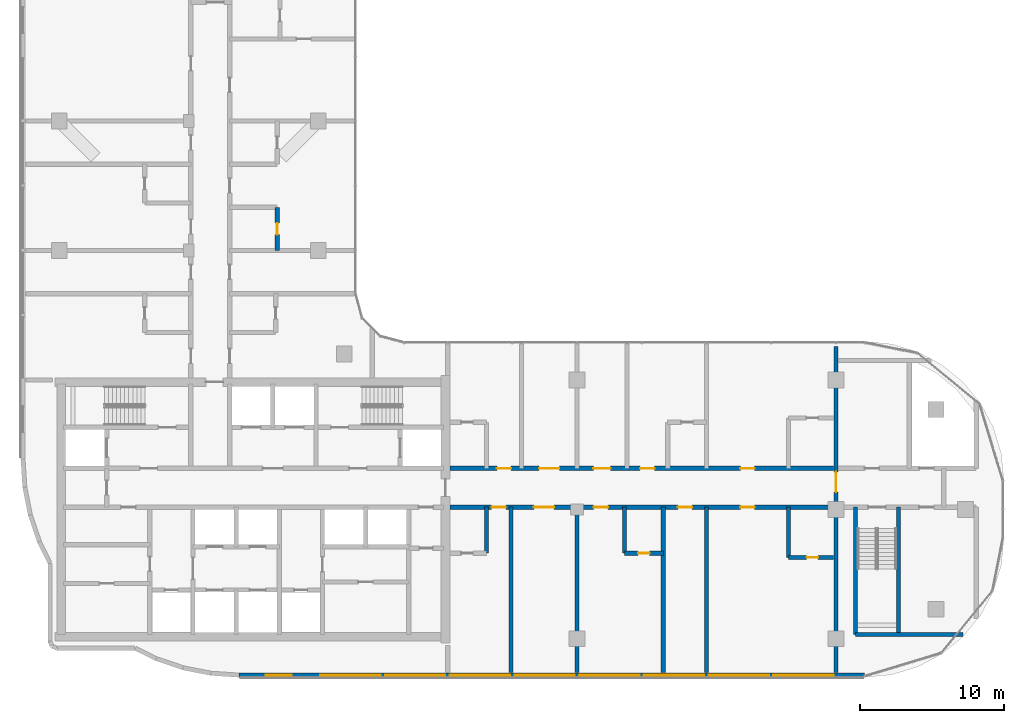
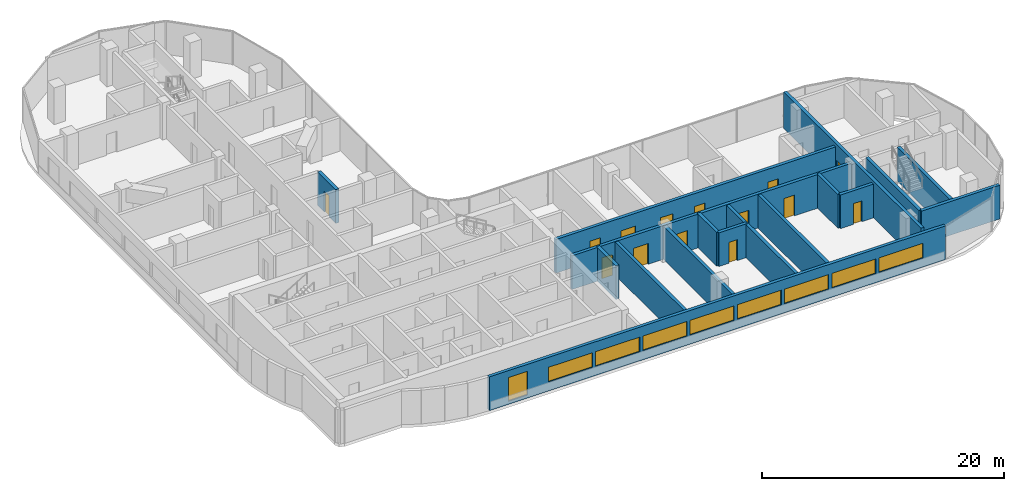
# One storey, part 12 of 23: 17 walls, 14 doors, 9 windows, 23 openings.
"""IFC4 building model written with IfcOpenShell, lengths in metres."""

from ifc_helpers import new_model, si_unit, direction, frame, frame_2d, origin, place, context, subcontext, project, spatial, rectangle, extrude, material, layer, layer_set, type_object, element, fill, save


model = new_model("IFC4")

# Units and contexts
model_context = context("Model", 3, precision=1e-05, world=origin(), true_north=direction((0.0, 1.0)))
body_context = subcontext(model_context, "Body", "Model", "MODEL_VIEW")
ifc_project = project(units=[si_unit("LENGTHUNIT", "METRE"), si_unit("AREAUNIT", "SQUARE_METRE"), si_unit("VOLUMEUNIT", "CUBIC_METRE"), si_unit("PLANEANGLEUNIT", "RADIAN"), si_unit("MASSUNIT", "GRAM", prefix="KILO")], contexts=[model_context])

# Site, building, storey
site_placement = place(None, origin())
site = spatial("IfcSite", under=ifc_project, at=site_placement, CompositionType="ELEMENT")
building_placement = place(site_placement, origin())
building = spatial("IfcBuilding", under=site, at=building_placement, Name="Ogive Portal Towers", CompositionType="ELEMENT")
storey_placement = place(building_placement, frame((0.0, 0.0, 186.60009765625)))
storey = spatial("IfcBuildingStorey", under=building, at=storey_placement, Name="L46", CompositionType="ELEMENT", Elevation=186.60009765625)

# Wall, openings, windows
ifc_material_1 = material(Name="Limestone cladding on lightweight block wall", Category="masonry")
ifc_layer_1 = layer(ifc_material_1, 0.300048828125)
ifc_layer_set_1 = layer_set([ifc_layer_1], Name="EXTERNAL WALL 300 STONE")
wall_type_1 = type_object("IfcWallType", Name="EXTERNAL WALL 300 STONE", PredefinedType="SOLIDWALL", material=ifc_layer_set_1)
wall_1_placement = place(storey_placement, frame((44.009765625, 18.969970703125, 0.0), z_axis=(0.0, 0.0, 1.0), x_axis=(1.0, 0.0, 0.0)))
wall_1 = element("IfcWall", 1, at=wall_1_placement, inside=storey, type_object=wall_type_1, Name="A:L46:f08:r0:wall", PredefinedType="SOLIDWALL", context=body_context, shape_type="SweptSolid", body=[
    extrude(rectangle(XDim=43.478271484375, YDim=0.300048828125, at=frame_2d((21.7392578125, 0.0))), origin(), (0.0, 0.0, 1.0), 3.39990234375),
])
opening_1_placement = place(wall_1_placement, frame((1.844970703125, 0.0, 0.300048828125)))
opening_1 = element("IfcOpeningElement", 2, at=opening_1_placement, cuts=wall_1, Name="Opening WN10", PredefinedType="OPENING", context=body_context, shape_type="SweptSolid", body=[
    extrude(rectangle(XDim=1.800048828125, YDim=2.39990234375, at=frame_2d((0.89990234375, 1.199951171875))), frame((0.0, 0.16015625, 0.0), z_axis=(0.0, -1.0, 0.0), x_axis=(1.0, 0.0, 0.0)), (0.0, 0.0, 1.0), 0.320068359375),
])
opening_2_placement = place(wall_1_placement, frame((5.64013671875, 0.0, 0.89990234375)))
opening_2 = element("IfcOpeningElement", 3, at=opening_2_placement, cuts=wall_1, Name="Opening WN11", PredefinedType="OPENING", context=body_context, shape_type="SweptSolid", body=[
    extrude(rectangle(XDim=4.199951171875, YDim=1.5, at=frame_2d((2.10009765625, 0.75))), frame((0.0, 0.16015625, 0.0), z_axis=(0.0, -1.0, 0.0), x_axis=(1.0, 0.0, 0.0)), (0.0, 0.0, 1.0), 0.320068359375),
])
opening_3_placement = place(wall_1_placement, frame((10.14013671875, 0.0, 0.89990234375)))
opening_3 = element("IfcOpeningElement", 4, at=opening_3_placement, cuts=wall_1, Name="Opening WN11", PredefinedType="OPENING", context=body_context, shape_type="SweptSolid", body=[
    extrude(rectangle(XDim=4.199951171875, YDim=1.5, at=frame_2d((2.10009765625, 0.75))), frame((0.0, 0.16015625, 0.0), z_axis=(0.0, -1.0, 0.0), x_axis=(1.0, 0.0, 0.0)), (0.0, 0.0, 1.0), 0.320068359375),
])
opening_4_placement = place(wall_1_placement, frame((14.64013671875, 0.0, 0.89990234375)))
opening_4 = element("IfcOpeningElement", 5, at=opening_4_placement, cuts=wall_1, Name="Opening WN11", PredefinedType="OPENING", context=body_context, shape_type="SweptSolid", body=[
    extrude(rectangle(XDim=4.199951171875, YDim=1.5, at=frame_2d((2.10009765625, 0.75))), frame((0.0, 0.16015625, 0.0), z_axis=(0.0, -1.0, 0.0), x_axis=(1.0, 0.0, 0.0)), (0.0, 0.0, 1.0), 0.320068359375),
])
opening_5_placement = place(wall_1_placement, frame((19.14013671875, 0.0, 0.89990234375)))
opening_5 = element("IfcOpeningElement", 6, at=opening_5_placement, cuts=wall_1, Name="Opening WN11", PredefinedType="OPENING", context=body_context, shape_type="SweptSolid", body=[
    extrude(rectangle(XDim=4.199951171875, YDim=1.5, at=frame_2d((2.10009765625, 0.75))), frame((0.0, 0.16015625, 0.0), z_axis=(0.0, -1.0, 0.0), x_axis=(1.0, 0.0, 0.0)), (0.0, 0.0, 1.0), 0.320068359375),
])
opening_6_placement = place(wall_1_placement, frame((23.64013671875, 0.0, 0.89990234375)))
opening_6 = element("IfcOpeningElement", 7, at=opening_6_placement, cuts=wall_1, Name="Opening WN11", PredefinedType="OPENING", context=body_context, shape_type="SweptSolid", body=[
    extrude(rectangle(XDim=4.199951171875, YDim=1.5, at=frame_2d((2.10009765625, 0.75))), frame((0.0, 0.16015625, 0.0), z_axis=(0.0, -1.0, 0.0), x_axis=(1.0, 0.0, 0.0)), (0.0, 0.0, 1.0), 0.320068359375),
])
opening_7_placement = place(wall_1_placement, frame((28.14013671875, 0.0, 0.89990234375)))
opening_7 = element("IfcOpeningElement", 8, at=opening_7_placement, cuts=wall_1, Name="Opening WN11", PredefinedType="OPENING", context=body_context, shape_type="SweptSolid", body=[
    extrude(rectangle(XDim=4.199951171875, YDim=1.5, at=frame_2d((2.10009765625, 0.75))), frame((0.0, 0.16015625, 0.0), z_axis=(0.0, -1.0, 0.0), x_axis=(1.0, 0.0, 0.0)), (0.0, 0.0, 1.0), 0.320068359375),
])
opening_8_placement = place(wall_1_placement, frame((32.64013671875, 0.0, 0.89990234375)))
opening_8 = element("IfcOpeningElement", 9, at=opening_8_placement, cuts=wall_1, Name="Opening WN11", PredefinedType="OPENING", context=body_context, shape_type="SweptSolid", body=[
    extrude(rectangle(XDim=4.199951171875, YDim=1.5, at=frame_2d((2.10009765625, 0.75))), frame((0.0, 0.16015625, 0.0), z_axis=(0.0, -1.0, 0.0), x_axis=(1.0, 0.0, 0.0)), (0.0, 0.0, 1.0), 0.320068359375),
])
opening_9_placement = place(wall_1_placement, frame((37.14013671875, 0.0, 0.89990234375)))
opening_9 = element("IfcOpeningElement", 10, at=opening_9_placement, cuts=wall_1, Name="Opening WN11", PredefinedType="OPENING", context=body_context, shape_type="SweptSolid", body=[
    extrude(rectangle(XDim=4.199951171875, YDim=1.5, at=frame_2d((2.10009765625, 0.75))), frame((0.0, 0.16015625, 0.0), z_axis=(0.0, -1.0, 0.0), x_axis=(1.0, 0.0, 0.0)), (0.0, 0.0, 1.0), 0.320068359375),
])
ifc_material_2 = material(Name="Glass, clear low-iron insulated glazing", Category="glass")
window_type_1 = type_object("IfcWindowType", Name="WINDOW RIBBON 4200x1500", PartitioningType="TRIPLE_PANEL_VERTICAL", PredefinedType="WINDOW", material=ifc_material_2)
window_1_placement = place(opening_2_placement, origin())
window_1 = element("IfcWindow", 11, at=window_1_placement, inside=storey, type_object=window_type_1, Name="A:L46:f08:r0:w1", OverallHeight=1.5, OverallWidth=4.199951171875, PartitioningType="SINGLE_PANEL", PredefinedType="WINDOW", context=body_context, shape_type="SweptSolid", body=[
    extrude(rectangle(XDim=4.199951171875, YDim=1.5, at=frame_2d((2.10009765625, 0.75))), frame((0.0, 0.030029296875, 0.0), z_axis=(0.0, -1.0, 0.0), x_axis=(1.0, 0.0, 0.0)), (0.0, 0.0, 1.0), 0.06005859375),
])
fill(opening_2, window_1)
window_2_placement = place(opening_3_placement, origin())
window_2 = element("IfcWindow", 12, at=window_2_placement, inside=storey, type_object=window_type_1, Name="A:L46:f08:r0:w2", OverallHeight=1.5, OverallWidth=4.199951171875, PartitioningType="SINGLE_PANEL", PredefinedType="WINDOW", context=body_context, shape_type="SweptSolid", body=[
    extrude(rectangle(XDim=4.199951171875, YDim=1.5, at=frame_2d((2.10009765625, 0.75))), frame((0.0, 0.030029296875, 0.0), z_axis=(0.0, -1.0, 0.0), x_axis=(1.0, 0.0, 0.0)), (0.0, 0.0, 1.0), 0.06005859375),
])
fill(opening_3, window_2)
window_3_placement = place(opening_4_placement, origin())
window_3 = element("IfcWindow", 13, at=window_3_placement, inside=storey, type_object=window_type_1, Name="A:L46:f08:r0:w3", OverallHeight=1.5, OverallWidth=4.199951171875, PartitioningType="SINGLE_PANEL", PredefinedType="WINDOW", context=body_context, shape_type="SweptSolid", body=[
    extrude(rectangle(XDim=4.199951171875, YDim=1.5, at=frame_2d((2.10009765625, 0.75))), frame((0.0, 0.030029296875, 0.0), z_axis=(0.0, -1.0, 0.0), x_axis=(1.0, 0.0, 0.0)), (0.0, 0.0, 1.0), 0.06005859375),
])
fill(opening_4, window_3)
window_4_placement = place(opening_5_placement, origin())
window_4 = element("IfcWindow", 14, at=window_4_placement, inside=storey, type_object=window_type_1, Name="A:L46:f08:r0:w4", OverallHeight=1.5, OverallWidth=4.199951171875, PartitioningType="SINGLE_PANEL", PredefinedType="WINDOW", context=body_context, shape_type="SweptSolid", body=[
    extrude(rectangle(XDim=4.199951171875, YDim=1.5, at=frame_2d((2.10009765625, 0.75))), frame((0.0, 0.030029296875, 0.0), z_axis=(0.0, -1.0, 0.0), x_axis=(1.0, 0.0, 0.0)), (0.0, 0.0, 1.0), 0.06005859375),
])
fill(opening_5, window_4)
window_5_placement = place(opening_6_placement, origin())
window_5 = element("IfcWindow", 15, at=window_5_placement, inside=storey, type_object=window_type_1, Name="A:L46:f08:r0:w5", OverallHeight=1.5, OverallWidth=4.199951171875, PartitioningType="SINGLE_PANEL", PredefinedType="WINDOW", context=body_context, shape_type="SweptSolid", body=[
    extrude(rectangle(XDim=4.199951171875, YDim=1.5, at=frame_2d((2.10009765625, 0.75))), frame((0.0, 0.030029296875, 0.0), z_axis=(0.0, -1.0, 0.0), x_axis=(1.0, 0.0, 0.0)), (0.0, 0.0, 1.0), 0.06005859375),
])
fill(opening_6, window_5)
window_6_placement = place(opening_7_placement, origin())
window_6 = element("IfcWindow", 16, at=window_6_placement, inside=storey, type_object=window_type_1, Name="A:L46:f08:r0:w6", OverallHeight=1.5, OverallWidth=4.199951171875, PartitioningType="SINGLE_PANEL", PredefinedType="WINDOW", context=body_context, shape_type="SweptSolid", body=[
    extrude(rectangle(XDim=4.199951171875, YDim=1.5, at=frame_2d((2.10009765625, 0.75))), frame((0.0, 0.030029296875, 0.0), z_axis=(0.0, -1.0, 0.0), x_axis=(1.0, 0.0, 0.0)), (0.0, 0.0, 1.0), 0.06005859375),
])
fill(opening_7, window_6)
window_7_placement = place(opening_8_placement, origin())
window_7 = element("IfcWindow", 17, at=window_7_placement, inside=storey, type_object=window_type_1, Name="A:L46:f08:r0:w7", OverallHeight=1.5, OverallWidth=4.199951171875, PartitioningType="SINGLE_PANEL", PredefinedType="WINDOW", context=body_context, shape_type="SweptSolid", body=[
    extrude(rectangle(XDim=4.199951171875, YDim=1.5, at=frame_2d((2.10009765625, 0.75))), frame((0.0, 0.030029296875, 0.0), z_axis=(0.0, -1.0, 0.0), x_axis=(1.0, 0.0, 0.0)), (0.0, 0.0, 1.0), 0.06005859375),
])
fill(opening_8, window_7)
window_8_placement = place(opening_9_placement, origin())
window_8 = element("IfcWindow", 18, at=window_8_placement, inside=storey, type_object=window_type_1, Name="A:L46:f08:r0:w8", OverallHeight=1.5, OverallWidth=4.199951171875, PartitioningType="SINGLE_PANEL", PredefinedType="WINDOW", context=body_context, shape_type="SweptSolid", body=[
    extrude(rectangle(XDim=4.199951171875, YDim=1.5, at=frame_2d((2.10009765625, 0.75))), frame((0.0, 0.030029296875, 0.0), z_axis=(0.0, -1.0, 0.0), x_axis=(1.0, 0.0, 0.0)), (0.0, 0.0, 1.0), 0.06005859375),
])
fill(opening_9, window_8)
window_type_2 = type_object("IfcWindowType", Name="WINDOW SUITE CORNER 1800x2400", PartitioningType="DOUBLE_PANEL_VERTICAL", PredefinedType="WINDOW", material=ifc_material_2)
window_9_placement = place(opening_1_placement, origin())
window_9 = element("IfcWindow", 19, at=window_9_placement, inside=storey, type_object=window_type_2, Name="A:L46:f08:r0:w0", OverallHeight=2.39990234375, OverallWidth=1.800048828125, PartitioningType="SINGLE_PANEL", PredefinedType="WINDOW", context=body_context, shape_type="SweptSolid", body=[
    extrude(rectangle(XDim=1.800048828125, YDim=2.39990234375, at=frame_2d((0.89990234375, 1.199951171875))), frame((0.0, 0.030029296875, 0.0), z_axis=(0.0, -1.0, 0.0), x_axis=(1.0, 0.0, 0.0)), (0.0, 0.0, 1.0), 0.06005859375),
])
fill(opening_1, window_9)

# Wall, opening, door
ifc_material_3 = material(Name="Concrete C60/75", Category="concrete")
ifc_layer_2 = layer(ifc_material_3, 0.300048828125)
ifc_layer_set_2 = layer_set([ifc_layer_2], Name="REVEAL WALL 300 C60")
wall_type_2 = type_object("IfcWallType", Name="REVEAL WALL 300 C60", PredefinedType="SHEAR", material=ifc_layer_set_2)
wall_2_placement = place(storey_placement, frame((85.5, 19.169921875, 0.0), z_axis=(0.0, 0.0, 1.0), x_axis=(0.0, 1.0, 0.0)))
wall_2 = element("IfcWall", 20, at=wall_2_placement, inside=storey, type_object=wall_type_2, Name="Portal reveal wall L46", PredefinedType="SHEAR", context=body_context, shape_type="SweptSolid", body=[
    extrude(rectangle(XDim=22.66015625, YDim=0.300048828125, at=frame_2d((11.330078125, 0.0))), origin(), (0.0, 0.0, 1.0), 3.699951171875),
])
opening_10_placement = place(wall_2_placement, frame((12.530029296875, 0.0, 0.0)))
opening_10 = element("IfcOpeningElement", 21, at=opening_10_placement, cuts=wall_2, Name="Opening D20-066", PredefinedType="OPENING", context=body_context, shape_type="SweptSolid", body=[
    extrude(rectangle(XDim=1.39990234375, YDim=2.10009765625, at=frame_2d((0.699951171875, 1.050048828125))), frame((0.0, 0.16015625, 0.0), z_axis=(0.0, -1.0, 0.0), x_axis=(1.0, 0.0, 0.0)), (0.0, 0.0, 1.0), 0.320068359375),
])
ifc_material_4 = material(Name="Steel fire door", Category="steel")
door_type_1 = type_object("IfcDoorType", Name="DT-STAIR-1400x2100-FD90S", OperationType="SINGLE_SWING_LEFT", PredefinedType="DOOR", material=ifc_material_4)
door_1_placement = place(opening_10_placement, origin())
door_1 = element("IfcDoor", 22, at=door_1_placement, inside=storey, type_object=door_type_1, Name="Door D20-066", OperationType="SINGLE_SWING_RIGHT", OverallHeight=2.10009765625, OverallWidth=1.39990234375, PredefinedType="DOOR", context=body_context, shape_type="SweptSolid", body=[
    extrude(rectangle(XDim=1.39990234375, YDim=2.10009765625, at=frame_2d((0.699951171875, 1.050048828125))), frame((0.0, 0.02490234375, 0.0), z_axis=(0.0, -1.0, 0.0), x_axis=(1.0, 0.0, 0.0)), (0.0, 0.0, 1.0), 0.050048828125),
])
fill(opening_10, door_1)

# Walls
ifc_material_5 = material(Name="Concrete C50/60", Category="concrete")
ifc_layer_3 = layer(ifc_material_5, 0.300048828125)
ifc_layer_set_3 = layer_set([ifc_layer_3], Name="STAIR WALL 300 C50")
wall_type_3 = type_object("IfcWallType", Name="STAIR WALL 300 C50", PredefinedType="SHEAR", material=ifc_layer_set_3)
wall_3_placement = place(storey_placement, frame((86.85009765625, 21.800048828125, 0.0), z_axis=(0.0, 0.0, 1.0), x_axis=(1.0, 0.0, 0.0)))
element("IfcWall", 23, at=wall_3_placement, inside=storey, type_object=wall_type_3, Name="Stair wall ST-A4 L46", PredefinedType="SHEAR", context=body_context, shape_type="SweptSolid", body=[
    extrude(rectangle(XDim=7.473876953125, YDim=0.300048828125, at=frame_2d((3.73681640625, 0.0))), origin(), (0.0, 0.0, 1.0), 3.39990234375),
])
for number, where, z_axis, x_axis, name in (
    (24, (86.85009765625, 21.800048828125, 0.0), (0.0, 0.0, 1.0), (0.0, 1.0, 0.0), "Stair wall ST-A4 L46"),
    (25, (89.85009765625, 21.800048828125, 0.0), (0.0, 0.0, 1.0), (0.0, 1.0, 0.0), "Stair wall ST-A4 L46"),
):
    element("IfcWall", number, at=place(storey_placement, frame(where, z_axis=z_axis, x_axis=x_axis)), inside=storey, type_object=wall_type_3, Name=name, PredefinedType="SHEAR", context=body_context, shape_type="SweptSolid", body=[
        extrude(rectangle(XDim=8.849853515625, YDim=0.300048828125, at=frame_2d((4.4248046875, 0.0))), origin(), (0.0, 0.0, 1.0), 3.39990234375),
    ])

# Wall, openings, doors
ifc_material_6 = material(Name="Gypsum board partition on steel studs", Category="steel")
ifc_layer_4 = layer(ifc_material_6, 0.300048828125)
ifc_layer_set_4 = layer_set([ifc_layer_4], Name="WT-PART-300-EI 120")
wall_type_4 = type_object("IfcWallType", Name="WT-PART-300-EI 120", PredefinedType="PARTITIONING", material=ifc_layer_set_4)
wall_4_placement = place(storey_placement, frame((58.64990234375, 30.64990234375, 0.0), z_axis=(0.0, 0.0, 1.0), x_axis=(1.0, 0.0, 0.0)))
wall_4 = element("IfcWall", 26, at=wall_4_placement, inside=storey, type_object=wall_type_4, Name="Wall L46:w005", PredefinedType="PARTITIONING", context=body_context, shape_type="SweptSolid", body=[
    extrude(rectangle(XDim=26.68017578125, YDim=0.300048828125, at=frame_2d((13.340087890625, 0.0))), origin(), (0.0, 0.0, 1.0), 3.39990234375),
])
opening_11_placement = place(wall_4_placement, frame((2.89990234375, 0.0, 0.0)))
opening_11 = element("IfcOpeningElement", 27, at=opening_11_placement, cuts=wall_4, Name="Opening D20-031", PredefinedType="OPENING", context=body_context, shape_type="SweptSolid", body=[
    extrude(rectangle(XDim=1.0, YDim=2.10009765625, at=frame_2d((0.5, 1.050048828125))), frame((0.0, 0.16015625, 0.0), z_axis=(0.0, -1.0, 0.0), x_axis=(1.0, 0.0, 0.0)), (0.0, 0.0, 1.0), 0.320068359375),
])
opening_12_placement = place(wall_4_placement, frame((5.85009765625, 0.0, 0.0)))
opening_12 = element("IfcOpeningElement", 28, at=opening_12_placement, cuts=wall_4, Name="Opening D20-032", PredefinedType="OPENING", context=body_context, shape_type="SweptSolid", body=[
    extrude(rectangle(XDim=1.39990234375, YDim=2.10009765625, at=frame_2d((0.699951171875, 1.050048828125))), frame((0.0, 0.16015625, 0.0), z_axis=(0.0, -1.0, 0.0), x_axis=(1.0, 0.0, 0.0)), (0.0, 0.0, 1.0), 0.320068359375),
])
opening_13_placement = place(wall_4_placement, frame((10.0, 0.0, 0.0)))
opening_13 = element("IfcOpeningElement", 29, at=opening_13_placement, cuts=wall_4, Name="Opening D20-037", PredefinedType="OPENING", context=body_context, shape_type="SweptSolid", body=[
    extrude(rectangle(XDim=1.0, YDim=2.10009765625, at=frame_2d((0.5, 1.050048828125))), frame((0.0, 0.16015625, 0.0), z_axis=(0.0, -1.0, 0.0), x_axis=(1.0, 0.0, 0.0)), (0.0, 0.0, 1.0), 0.320068359375),
])
opening_14_placement = place(wall_4_placement, frame((15.85009765625, 0.0, 0.0)))
opening_14 = element("IfcOpeningElement", 30, at=opening_14_placement, cuts=wall_4, Name="Opening D20-038", PredefinedType="OPENING", context=body_context, shape_type="SweptSolid", body=[
    extrude(rectangle(XDim=1.0, YDim=2.10009765625, at=frame_2d((0.5, 1.050048828125))), frame((0.0, 0.16015625, 0.0), z_axis=(0.0, -1.0, 0.0), x_axis=(1.0, 0.0, 0.0)), (0.0, 0.0, 1.0), 0.320068359375),
])
opening_15_placement = place(wall_4_placement, frame((20.199951171875, 0.0, 0.0)))
opening_15 = element("IfcOpeningElement", 31, at=opening_15_placement, cuts=wall_4, Name="Opening D20-042", PredefinedType="OPENING", context=body_context, shape_type="SweptSolid", body=[
    extrude(rectangle(XDim=1.0, YDim=2.10009765625, at=frame_2d((0.5, 1.050048828125))), frame((0.0, 0.16015625, 0.0), z_axis=(0.0, -1.0, 0.0), x_axis=(1.0, 0.0, 0.0)), (0.0, 0.0, 1.0), 0.320068359375),
])
door_type_2 = type_object("IfcDoorType", Name="DT-ENTRY-1000x2100-FD90S", OperationType="SINGLE_SWING_LEFT", PredefinedType="DOOR", material=ifc_material_4)
door_2_placement = place(opening_11_placement, origin())
door_2 = element("IfcDoor", 32, at=door_2_placement, inside=storey, type_object=door_type_2, Name="Door D20-031", OperationType="SINGLE_SWING_LEFT", OverallHeight=2.10009765625, OverallWidth=1.0, PredefinedType="DOOR", context=body_context, shape_type="SweptSolid", body=[
    extrude(rectangle(XDim=1.0, YDim=2.10009765625, at=frame_2d((0.5, 1.050048828125))), frame((0.0, 0.02490234375, 0.0), z_axis=(0.0, -1.0, 0.0), x_axis=(1.0, 0.0, 0.0)), (0.0, 0.0, 1.0), 0.050048828125),
])
fill(opening_11, door_2)
door_3_placement = place(opening_13_placement, origin())
door_3 = element("IfcDoor", 33, at=door_3_placement, inside=storey, type_object=door_type_2, Name="Door D20-037", OperationType="SINGLE_SWING_LEFT", OverallHeight=2.10009765625, OverallWidth=1.0, PredefinedType="DOOR", context=body_context, shape_type="SweptSolid", body=[
    extrude(rectangle(XDim=1.0, YDim=2.10009765625, at=frame_2d((0.5, 1.050048828125))), frame((0.0, 0.02490234375, 0.0), z_axis=(0.0, -1.0, 0.0), x_axis=(1.0, 0.0, 0.0)), (0.0, 0.0, 1.0), 0.050048828125),
])
fill(opening_13, door_3)
door_4_placement = place(opening_14_placement, origin())
door_4 = element("IfcDoor", 34, at=door_4_placement, inside=storey, type_object=door_type_2, Name="Door D20-038", OperationType="SINGLE_SWING_RIGHT", OverallHeight=2.10009765625, OverallWidth=1.0, PredefinedType="DOOR", context=body_context, shape_type="SweptSolid", body=[
    extrude(rectangle(XDim=1.0, YDim=2.10009765625, at=frame_2d((0.5, 1.050048828125))), frame((0.0, 0.02490234375, 0.0), z_axis=(0.0, -1.0, 0.0), x_axis=(1.0, 0.0, 0.0)), (0.0, 0.0, 1.0), 0.050048828125),
])
fill(opening_14, door_4)
door_5_placement = place(opening_15_placement, origin())
door_5 = element("IfcDoor", 35, at=door_5_placement, inside=storey, type_object=door_type_2, Name="Door D20-042", OperationType="SINGLE_SWING_RIGHT", OverallHeight=2.10009765625, OverallWidth=1.0, PredefinedType="DOOR", context=body_context, shape_type="SweptSolid", body=[
    extrude(rectangle(XDim=1.0, YDim=2.10009765625, at=frame_2d((0.5, 1.050048828125))), frame((0.0, 0.02490234375, 0.0), z_axis=(0.0, -1.0, 0.0), x_axis=(1.0, 0.0, 0.0)), (0.0, 0.0, 1.0), 0.050048828125),
])
fill(opening_15, door_5)
door_type_3 = type_object("IfcDoorType", Name="DT-ENTRY-1400x2100-FD90S", OperationType="SINGLE_SWING_LEFT", PredefinedType="DOOR", material=ifc_material_4)
door_6_placement = place(opening_12_placement, origin())
door_6 = element("IfcDoor", 36, at=door_6_placement, inside=storey, type_object=door_type_3, Name="Door D20-032", OperationType="SINGLE_SWING_RIGHT", OverallHeight=2.10009765625, OverallWidth=1.39990234375, PredefinedType="DOOR", context=body_context, shape_type="SweptSolid", body=[
    extrude(rectangle(XDim=1.39990234375, YDim=2.10009765625, at=frame_2d((0.699951171875, 1.050048828125))), frame((0.0, 0.02490234375, 0.0), z_axis=(0.0, -1.0, 0.0), x_axis=(1.0, 0.0, 0.0)), (0.0, 0.0, 1.0), 0.050048828125),
])
fill(opening_12, door_6)

wall_5_placement = place(storey_placement, frame((58.64990234375, 33.35009765625, 0.0), z_axis=(0.0, 0.0, 1.0), x_axis=(1.0, 0.0, 0.0)))
wall_5 = element("IfcWall", 37, at=wall_5_placement, inside=storey, type_object=wall_type_4, Name="Wall L46:w007", PredefinedType="PARTITIONING", context=body_context, shape_type="SweptSolid", body=[
    extrude(rectangle(XDim=26.68017578125, YDim=0.300048828125, at=frame_2d((13.340087890625, 0.0))), origin(), (0.0, 0.0, 1.0), 3.39990234375),
])
opening_16_placement = place(wall_5_placement, frame((3.264892578125, 0.0, 0.0)))
opening_16 = element("IfcOpeningElement", 38, at=opening_16_placement, cuts=wall_5, Name="Opening D20-028", PredefinedType="OPENING", context=body_context, shape_type="SweptSolid", body=[
    extrude(rectangle(XDim=1.0, YDim=2.10009765625, at=frame_2d((0.5, 1.050048828125))), frame((0.0, 0.16015625, 0.0), z_axis=(0.0, -1.0, 0.0), x_axis=(1.0, 0.0, 0.0)), (0.0, 0.0, 1.0), 0.320068359375),
])
opening_17_placement = place(wall_5_placement, frame((6.215087890625, 0.0, 0.0)))
opening_17 = element("IfcOpeningElement", 39, at=opening_17_placement, cuts=wall_5, Name="Opening D20-029", PredefinedType="OPENING", context=body_context, shape_type="SweptSolid", body=[
    extrude(rectangle(XDim=1.39990234375, YDim=2.10009765625, at=frame_2d((0.699951171875, 1.050048828125))), frame((0.0, 0.16015625, 0.0), z_axis=(0.0, -1.0, 0.0), x_axis=(1.0, 0.0, 0.0)), (0.0, 0.0, 1.0), 0.320068359375),
])
opening_18_placement = place(wall_5_placement, frame((9.985107421875, 0.0, 0.0)))
opening_18 = element("IfcOpeningElement", 40, at=opening_18_placement, cuts=wall_5, Name="Opening D20-033", PredefinedType="OPENING", context=body_context, shape_type="SweptSolid", body=[
    extrude(rectangle(XDim=1.199951171875, YDim=2.10009765625, at=frame_2d((0.60009765625, 1.050048828125))), frame((0.0, 0.16015625, 0.0), z_axis=(0.0, -1.0, 0.0), x_axis=(1.0, 0.0, 0.0)), (0.0, 0.0, 1.0), 0.320068359375),
])
opening_19_placement = place(wall_5_placement, frame((13.235107421875, 0.0, 0.0)))
opening_19 = element("IfcOpeningElement", 41, at=opening_19_placement, cuts=wall_5, Name="Opening D20-035", PredefinedType="OPENING", context=body_context, shape_type="SweptSolid", body=[
    extrude(rectangle(XDim=1.0, YDim=2.10009765625, at=frame_2d((0.5, 1.050048828125))), frame((0.0, 0.16015625, 0.0), z_axis=(0.0, -1.0, 0.0), x_axis=(1.0, 0.0, 0.0)), (0.0, 0.0, 1.0), 0.320068359375),
])
opening_20_placement = place(wall_5_placement, frame((20.199951171875, 0.0, 0.0)))
opening_20 = element("IfcOpeningElement", 42, at=opening_20_placement, cuts=wall_5, Name="Opening D20-040", PredefinedType="OPENING", context=body_context, shape_type="SweptSolid", body=[
    extrude(rectangle(XDim=1.0, YDim=2.10009765625, at=frame_2d((0.5, 1.050048828125))), frame((0.0, 0.16015625, 0.0), z_axis=(0.0, -1.0, 0.0), x_axis=(1.0, 0.0, 0.0)), (0.0, 0.0, 1.0), 0.320068359375),
])
door_7_placement = place(opening_16_placement, origin())
door_7 = element("IfcDoor", 43, at=door_7_placement, inside=storey, type_object=door_type_2, Name="Door D20-028", OperationType="SINGLE_SWING_LEFT", OverallHeight=2.10009765625, OverallWidth=1.0, PredefinedType="DOOR", context=body_context, shape_type="SweptSolid", body=[
    extrude(rectangle(XDim=1.0, YDim=2.10009765625, at=frame_2d((0.5, 1.050048828125))), frame((0.0, 0.02490234375, 0.0), z_axis=(0.0, -1.0, 0.0), x_axis=(1.0, 0.0, 0.0)), (0.0, 0.0, 1.0), 0.050048828125),
])
fill(opening_16, door_7)
door_8_placement = place(opening_19_placement, origin())
door_8 = element("IfcDoor", 44, at=door_8_placement, inside=storey, type_object=door_type_2, Name="Door D20-035", OperationType="SINGLE_SWING_LEFT", OverallHeight=2.10009765625, OverallWidth=1.0, PredefinedType="DOOR", context=body_context, shape_type="SweptSolid", body=[
    extrude(rectangle(XDim=1.0, YDim=2.10009765625, at=frame_2d((0.5, 1.050048828125))), frame((0.0, 0.02490234375, 0.0), z_axis=(0.0, -1.0, 0.0), x_axis=(1.0, 0.0, 0.0)), (0.0, 0.0, 1.0), 0.050048828125),
])
fill(opening_19, door_8)
door_9_placement = place(opening_20_placement, origin())
door_9 = element("IfcDoor", 45, at=door_9_placement, inside=storey, type_object=door_type_2, Name="Door D20-040", OperationType="SINGLE_SWING_LEFT", OverallHeight=2.10009765625, OverallWidth=1.0, PredefinedType="DOOR", context=body_context, shape_type="SweptSolid", body=[
    extrude(rectangle(XDim=1.0, YDim=2.10009765625, at=frame_2d((0.5, 1.050048828125))), frame((0.0, 0.02490234375, 0.0), z_axis=(0.0, -1.0, 0.0), x_axis=(1.0, 0.0, 0.0)), (0.0, 0.0, 1.0), 0.050048828125),
])
fill(opening_20, door_9)
door_type_4 = type_object("IfcDoorType", Name="DT-ENTRY-1200x2100-FD90S", OperationType="SINGLE_SWING_LEFT", PredefinedType="DOOR", material=ifc_material_4)
door_10_placement = place(opening_18_placement, origin())
door_10 = element("IfcDoor", 46, at=door_10_placement, inside=storey, type_object=door_type_4, Name="Door D20-033", OperationType="SINGLE_SWING_LEFT", OverallHeight=2.10009765625, OverallWidth=1.199951171875, PredefinedType="DOOR", context=body_context, shape_type="SweptSolid", body=[
    extrude(rectangle(XDim=1.199951171875, YDim=2.10009765625, at=frame_2d((0.60009765625, 1.050048828125))), frame((0.0, 0.02490234375, 0.0), z_axis=(0.0, -1.0, 0.0), x_axis=(1.0, 0.0, 0.0)), (0.0, 0.0, 1.0), 0.050048828125),
])
fill(opening_18, door_10)
door_11_placement = place(opening_17_placement, origin())
door_11 = element("IfcDoor", 47, at=door_11_placement, inside=storey, type_object=door_type_3, Name="Door D20-029", OperationType="SINGLE_SWING_RIGHT", OverallHeight=2.10009765625, OverallWidth=1.39990234375, PredefinedType="DOOR", context=body_context, shape_type="SweptSolid", body=[
    extrude(rectangle(XDim=1.39990234375, YDim=2.10009765625, at=frame_2d((0.699951171875, 1.050048828125))), frame((0.0, 0.02490234375, 0.0), z_axis=(0.0, -1.0, 0.0), x_axis=(1.0, 0.0, 0.0)), (0.0, 0.0, 1.0), 0.050048828125),
])
fill(opening_17, door_11)

# Wall, opening, door
ifc_layer_5 = layer(ifc_material_6, 0.300048828125)
ifc_layer_set_5 = layer_set([ifc_layer_5], Name="WT-PART-300-EI 60")
wall_type_5 = type_object("IfcWallType", Name="WT-PART-300-EI 60", PredefinedType="PARTITIONING", material=ifc_layer_set_5)
wall_6_placement = place(storey_placement, frame((82.199951171875, 27.14990234375, 0.0), z_axis=(0.0, 0.0, 1.0), x_axis=(1.0, 0.0, 0.0)))
wall_6 = element("IfcWall", 48, at=wall_6_placement, inside=storey, type_object=wall_type_5, Name="Wall L46:w002", PredefinedType="PARTITIONING", context=body_context, shape_type="SweptSolid", body=[
    extrude(rectangle(XDim=3.130126953125, YDim=0.300048828125, at=frame_2d((1.56494140625, 0.0))), origin(), (0.0, 0.0, 1.0), 3.39990234375),
])
opening_21_placement = place(wall_6_placement, frame((1.25, 0.0, 0.0)))
opening_21 = element("IfcOpeningElement", 49, at=opening_21_placement, cuts=wall_6, Name="Opening D20-041", PredefinedType="OPENING", context=body_context, shape_type="SweptSolid", body=[
    extrude(rectangle(XDim=0.800048828125, YDim=2.10009765625, at=frame_2d((0.39990234375, 1.050048828125))), frame((0.0, 0.16015625, 0.0), z_axis=(0.0, -1.0, 0.0), x_axis=(1.0, 0.0, 0.0)), (0.0, 0.0, 1.0), 0.320068359375),
])
door_type_5 = type_object("IfcDoorType", Name="DT-BATH-800x2100-FD60S", OperationType="SINGLE_SWING_LEFT", PredefinedType="DOOR", material=ifc_material_4)
door_12_placement = place(opening_21_placement, origin())
door_12 = element("IfcDoor", 50, at=door_12_placement, inside=storey, type_object=door_type_5, Name="Door D20-041", OperationType="SINGLE_SWING_LEFT", OverallHeight=2.10009765625, OverallWidth=0.800048828125, PredefinedType="DOOR", context=body_context, shape_type="SweptSolid", body=[
    extrude(rectangle(XDim=0.800048828125, YDim=2.10009765625, at=frame_2d((0.39990234375, 1.050048828125))), frame((0.0, 0.02490234375, 0.0), z_axis=(0.0, -1.0, 0.0), x_axis=(1.0, 0.0, 0.0)), (0.0, 0.0, 1.0), 0.050048828125),
])
fill(opening_21, door_12)

wall_7_placement = place(storey_placement, frame((70.800048828125, 27.449951171875, 0.0), z_axis=(0.0, 0.0, 1.0), x_axis=(1.0, 0.0, 0.0)))
wall_7 = element("IfcWall", 51, at=wall_7_placement, inside=storey, type_object=wall_type_5, Name="Wall L46:w004", PredefinedType="PARTITIONING", context=body_context, shape_type="SweptSolid", body=[
    extrude(rectangle(XDim=2.699951171875, YDim=0.300048828125, at=frame_2d((1.35009765625, 0.0))), origin(), (0.0, 0.0, 1.0), 3.39990234375),
])
opening_22_placement = place(wall_7_placement, frame((0.949951171875, 0.0, 0.0)))
opening_22 = element("IfcOpeningElement", 52, at=opening_22_placement, cuts=wall_7, Name="Opening D20-036", PredefinedType="OPENING", context=body_context, shape_type="SweptSolid", body=[
    extrude(rectangle(XDim=0.800048828125, YDim=2.10009765625, at=frame_2d((0.39990234375, 1.050048828125))), frame((0.0, 0.16015625, 0.0), z_axis=(0.0, -1.0, 0.0), x_axis=(1.0, 0.0, 0.0)), (0.0, 0.0, 1.0), 0.320068359375),
])
door_13_placement = place(opening_22_placement, origin())
door_13 = element("IfcDoor", 53, at=door_13_placement, inside=storey, type_object=door_type_5, Name="Door D20-036", OperationType="SINGLE_SWING_LEFT", OverallHeight=2.10009765625, OverallWidth=0.800048828125, PredefinedType="DOOR", context=body_context, shape_type="SweptSolid", body=[
    extrude(rectangle(XDim=0.800048828125, YDim=2.10009765625, at=frame_2d((0.39990234375, 1.050048828125))), frame((0.0, 0.02490234375, 0.0), z_axis=(0.0, -1.0, 0.0), x_axis=(1.0, 0.0, 0.0)), (0.0, 0.0, 1.0), 0.050048828125),
])
fill(opening_22, door_13)

wall_8_placement = place(storey_placement, frame((46.64990234375, 48.5, 0.0), z_axis=(0.0, 0.0, 1.0), x_axis=(0.0, 1.0, 0.0)))
wall_8 = element("IfcWall", 54, at=wall_8_placement, inside=storey, type_object=wall_type_5, Name="Wall L46:w043", PredefinedType="PARTITIONING", context=body_context, shape_type="SweptSolid", body=[
    extrude(rectangle(XDim=3.0, YDim=0.300048828125, at=frame_2d((1.5, 0.0))), origin(), (0.0, 0.0, 1.0), 3.39990234375),
])
opening_23_placement = place(wall_8_placement, frame((1.10009765625, 0.0, 0.0)))
opening_23 = element("IfcOpeningElement", 55, at=opening_23_placement, cuts=wall_8, Name="Opening D20-049", PredefinedType="OPENING", context=body_context, shape_type="SweptSolid", body=[
    extrude(rectangle(XDim=0.800048828125, YDim=2.10009765625, at=frame_2d((0.39990234375, 1.050048828125))), frame((0.0, 0.16015625, 0.0), z_axis=(0.0, -1.0, 0.0), x_axis=(1.0, 0.0, 0.0)), (0.0, 0.0, 1.0), 0.320068359375),
])
door_14_placement = place(opening_23_placement, origin())
door_14 = element("IfcDoor", 56, at=door_14_placement, inside=storey, type_object=door_type_5, Name="Door D20-049", OperationType="SINGLE_SWING_RIGHT", OverallHeight=2.10009765625, OverallWidth=0.800048828125, PredefinedType="DOOR", context=body_context, shape_type="SweptSolid", body=[
    extrude(rectangle(XDim=0.800048828125, YDim=2.10009765625, at=frame_2d((0.39990234375, 1.050048828125))), frame((0.0, 0.02490234375, 0.0), z_axis=(0.0, -1.0, 0.0), x_axis=(1.0, 0.0, 0.0)), (0.0, 0.0, 1.0), 0.050048828125),
])
fill(opening_23, door_14)

# Walls
wall_9_placement = place(storey_placement, frame((61.199951171875, 27.449951171875, 0.0), z_axis=(0.0, 0.0, 1.0), x_axis=(0.0, 1.0, 0.0)))
element("IfcWall", 57, at=wall_9_placement, inside=storey, type_object=wall_type_5, Name="Wall L46:w049", PredefinedType="PARTITIONING", context=body_context, shape_type="SweptSolid", body=[
    extrude(rectangle(XDim=3.199951171875, YDim=0.300048828125, at=frame_2d((1.60009765625, 0.0))), origin(), (0.0, 0.0, 1.0), 3.39990234375),
])
for number, where, z_axis, x_axis, name in (
    (58, (62.89990234375, 19.169921875, 0.0), (0.0, 0.0, 1.0), (0.0, 1.0, 0.0), "Wall L46:w051"),
    (59, (67.5, 19.169921875, 0.0), (0.0, 0.0, 1.0), (0.0, 1.0, 0.0), "Wall L46:w053"),
):
    element("IfcWall", number, at=place(storey_placement, frame(where, z_axis=z_axis, x_axis=x_axis)), inside=storey, type_object=wall_type_5, Name=name, PredefinedType="PARTITIONING", context=body_context, shape_type="SweptSolid", body=[
        extrude(rectangle(XDim=11.47998046875, YDim=0.300048828125, at=frame_2d((5.739990234375, 0.0))), origin(), (0.0, 0.0, 1.0), 3.349853515625),
    ])
wall_10_placement = place(storey_placement, frame((70.800048828125, 27.449951171875, 0.0), z_axis=(0.0, 0.0, 1.0), x_axis=(0.0, 1.0, 0.0)))
element("IfcWall", 60, at=wall_10_placement, inside=storey, type_object=wall_type_5, Name="Wall L46:w055", PredefinedType="PARTITIONING", context=body_context, shape_type="SweptSolid", body=[
    extrude(rectangle(XDim=3.199951171875, YDim=0.300048828125, at=frame_2d((1.60009765625, 0.0))), origin(), (0.0, 0.0, 1.0), 3.39990234375),
])
for number, where, z_axis, x_axis, name in (
    (61, (73.5, 19.169921875, 0.0), (0.0, 0.0, 1.0), (0.0, 1.0, 0.0), "Wall L46:w057"),
    (62, (76.5, 19.169921875, 0.0), (0.0, 0.0, 1.0), (0.0, 1.0, 0.0), "Wall L46:w059"),
):
    element("IfcWall", number, at=place(storey_placement, frame(where, z_axis=z_axis, x_axis=x_axis)), inside=storey, type_object=wall_type_5, Name=name, PredefinedType="PARTITIONING", context=body_context, shape_type="SweptSolid", body=[
        extrude(rectangle(XDim=11.47998046875, YDim=0.300048828125, at=frame_2d((5.739990234375, 0.0))), origin(), (0.0, 0.0, 1.0), 3.349853515625),
    ])
wall_11_placement = place(storey_placement, frame((82.199951171875, 27.14990234375, 0.0), z_axis=(0.0, 0.0, 1.0), x_axis=(0.0, 1.0, 0.0)))
element("IfcWall", 63, at=wall_11_placement, inside=storey, type_object=wall_type_5, Name="Wall L46:w061", PredefinedType="PARTITIONING", context=body_context, shape_type="SweptSolid", body=[
    extrude(rectangle(XDim=3.5, YDim=0.300048828125, at=frame_2d((1.75, 0.0))), origin(), (0.0, 0.0, 1.0), 3.39990234375),
])

save(model, "model.ifc")
